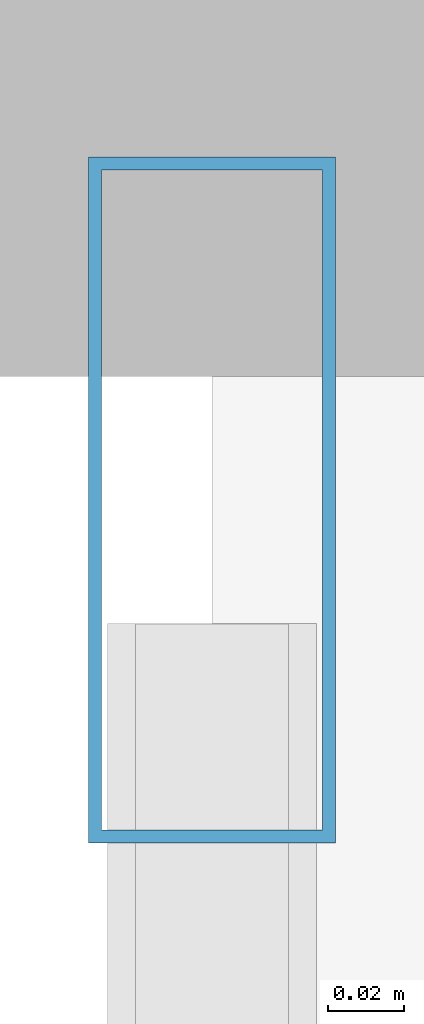
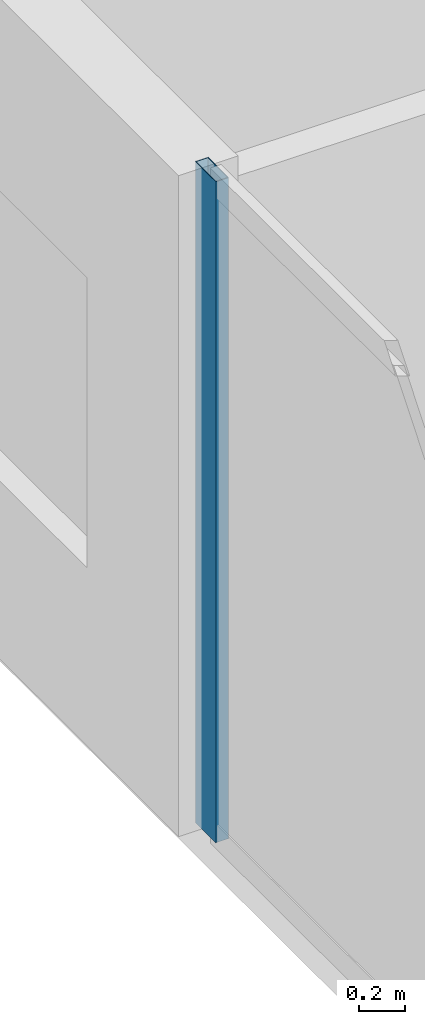
# One storey, part 16 of 33: 1 member, 1 element without a shape of its own.
"""IFC4 building model written with IfcOpenShell, lengths in metres."""

from ifc_helpers import new_model, si_unit, direction, frame, origin, origin_2d, place, context, subcontext, project, spatial, hollow_rectangle, extrude, material, layer, layer_set, material_profile, profile_set, type_object, element, aggregate, save


model = new_model("IFC4")

# Units and contexts
model_context = context("Model", 3, precision=1e-05, world=origin(), true_north=direction((0.0, 1.0)))
body_context = subcontext(model_context, "Body", "Model", "MODEL_VIEW")
ifc_project = project(units=[si_unit("LENGTHUNIT", "METRE"), si_unit("AREAUNIT", "SQUARE_METRE"), si_unit("VOLUMEUNIT", "CUBIC_METRE"), si_unit("PLANEANGLEUNIT", "RADIAN"), si_unit("MASSUNIT", "GRAM", prefix="KILO")], contexts=[model_context])

# Site, building, storey
site_placement = place(None, origin())
site = spatial("IfcSite", under=ifc_project, at=site_placement, CompositionType="ELEMENT")
building_placement = place(site_placement, origin())
building = spatial("IfcBuilding", under=site, at=building_placement, Name="Zuhayl Quay Hotel", CompositionType="ELEMENT")
storey_placement = place(building_placement, frame((0.0, 0.0, 211.14990234375)))
storey = spatial("IfcBuildingStorey", under=building, at=storey_placement, Name="L53", CompositionType="ELEMENT", Elevation=211.14990234375)

# Curtain wall, member
ifc_material_1 = material(Name="Anodised Aluminium 6063-T6", Category="aluminium")
ifc_layer = layer(ifc_material_1, 0.175048828125, Name="Anodised Aluminium 6063-T6", Category="aluminium")
ifc_layer_set = layer_set([ifc_layer], Name="Anodised Aluminium 6063-T6")
curtain_wall_type = type_object("IfcCurtainWallType", Name="CW_SYS_Z3", PredefinedType="USERDEFINED", material=ifc_layer_set)
curtain_wall_placement = place(storey_placement, origin())
curtain_wall = element("IfcCurtainWall", 1, at=curtain_wall_placement, inside=storey, type_object=curtain_wall_type, Name="L53 Curtain Wall ENV_L53_E05_CW1", ObjectType="UNITISED CURTAIN WALL", PredefinedType="USERDEFINED")
ifc_material_2 = material(Name="Black-anodised aluminium 6063-T6", Category="aluminium")
ifc_material_profile = material_profile(ifc_material_2, hollow_rectangle(XDim=0.06494140625, YDim=0.179931640625, WallThickness=0.00341796875, at=origin_2d()), Name="ALU180X65")
ifc_profile_set = profile_set([ifc_material_profile], Name="Black-anodised aluminium 6063-T6")
member_type = type_object("IfcMemberType", Name="MB_CW_MUL_180", PredefinedType="MULLION", material=ifc_profile_set)
member_placement = place(storey_placement, frame((-22.10009765625, 24.517578125, 0.0), z_axis=(0.0, 0.0, 1.0), x_axis=(-1.0, 0.0, 0.0)))
member = element("IfcMember", 2, at=member_placement, type_object=member_type, Name="CW-Z3 mullion 2", PredefinedType="MULLION", context=body_context, shape_type="SweptSolid", body=[
    extrude(hollow_rectangle(XDim=0.06494140625, YDim=0.179931640625, WallThickness=0.00341796875, at=origin_2d()), origin(), (0.0, 0.0, 1.0), 3.530029296875),
])
aggregate(curtain_wall, [member])

save(model, "model.ifc")
